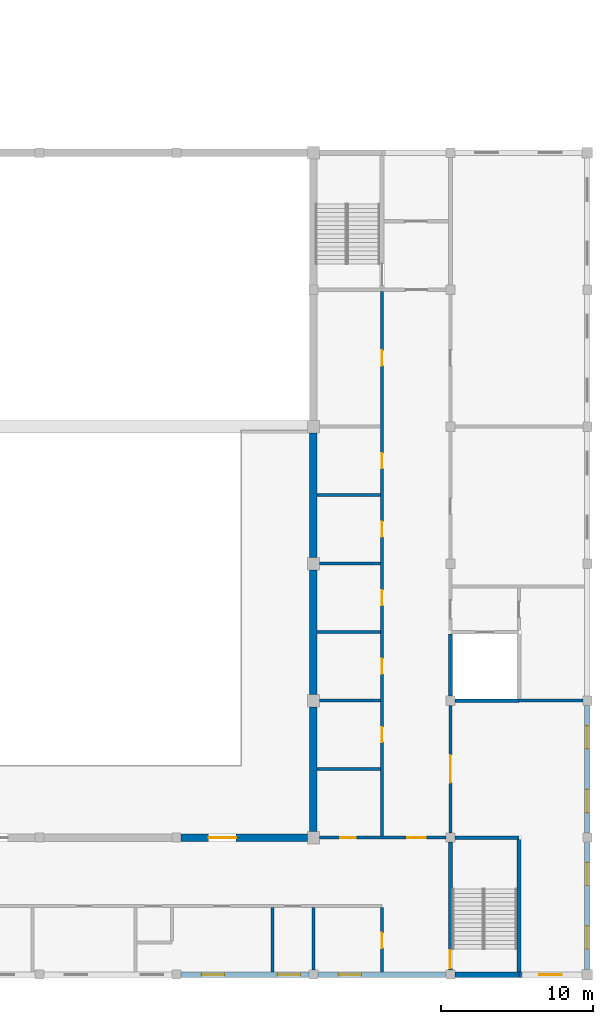
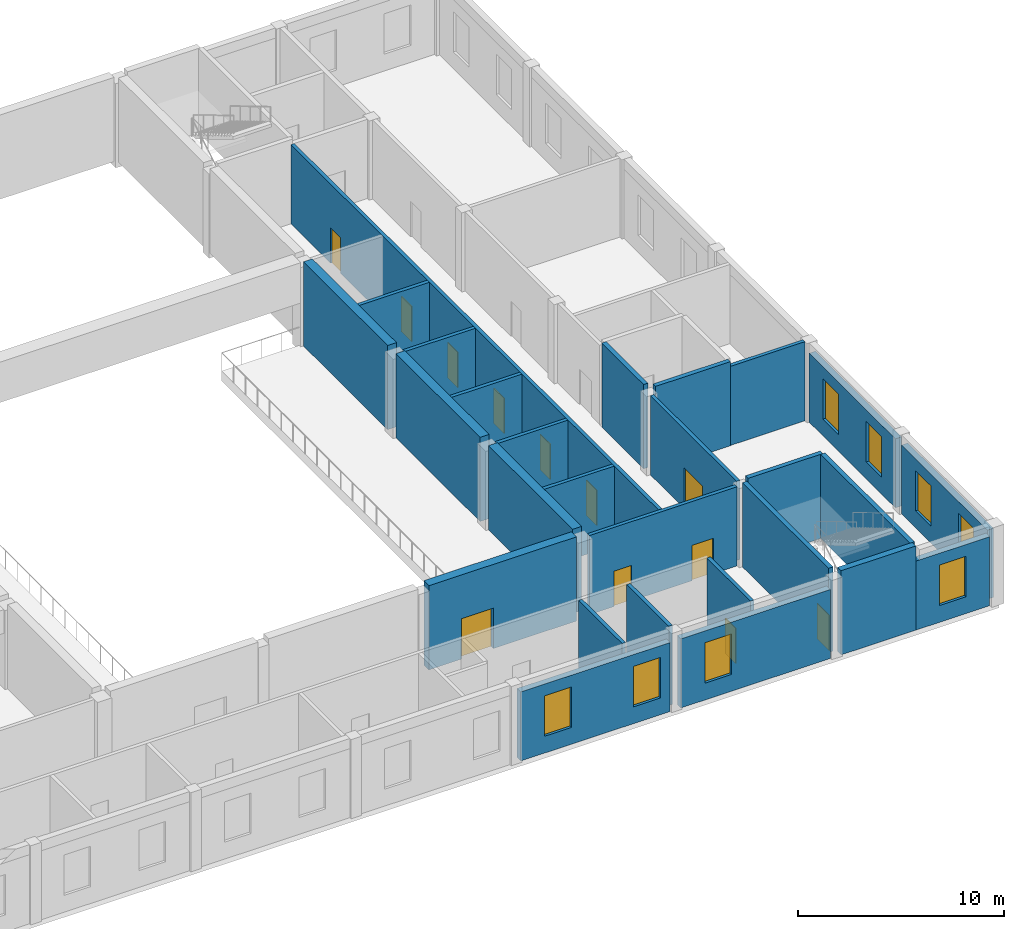
# One storey, part 25 of 34: 27 walls, 12 doors, 8 windows, 20 openings.
"""IFC4 building model written with IfcOpenShell, lengths in metres."""

from ifc_helpers import new_model, si_unit, direction, frame, frame_2d, origin, place, context, subcontext, project, spatial, rectangle, extrude, material, layer, layer_set, type_object, element, fill, save


model = new_model("IFC4")

# Units and contexts
model_context = context("Model", 3, precision=1e-05, world=origin(), true_north=direction((0.0, 1.0)))
body_context = subcontext(model_context, "Body", "Model", "MODEL_VIEW")
ifc_project = project(units=[si_unit("LENGTHUNIT", "METRE"), si_unit("AREAUNIT", "SQUARE_METRE"), si_unit("VOLUMEUNIT", "CUBIC_METRE"), si_unit("PLANEANGLEUNIT", "RADIAN"), si_unit("MASSUNIT", "GRAM", prefix="KILO")], contexts=[model_context])

# Site, building, storey
site_placement = place(None, origin())
site = spatial("IfcSite", under=ifc_project, at=site_placement, CompositionType="ELEMENT")
building_placement = place(site_placement, origin())
building = spatial("IfcBuilding", under=site, at=building_placement, Name="Firuza Court", CompositionType="ELEMENT")
storey_placement = place(building_placement, frame((0.0, 0.0, 19.0)))
storey = spatial("IfcBuildingStorey", under=building, at=storey_placement, Name="L03", CompositionType="ELEMENT", Elevation=19.0)

# Wall, openings, doors
ifc_material_1 = material(Name="Blockwork", Category="masonry")
ifc_layer_1 = layer(ifc_material_1, 0.199951171875)
ifc_layer_set_1 = layer_set([ifc_layer_1], Name="Blockwork")
wall_type_1 = type_object("IfcWallType", Name="HALL PARTITION 200", PredefinedType="STANDARD", material=ifc_layer_set_1)
wall_1_placement = place(storey_placement, frame((135.39990234375, 0.0, 0.0), z_axis=(0.0, 0.0, 1.0), x_axis=(1.0, 0.0, 0.0)))
wall_1 = element("IfcWall", 1, at=wall_1_placement, inside=storey, type_object=wall_type_1, Name="Wall L03.18", PredefinedType="STANDARD", context=body_context, shape_type="SweptSolid", body=[
    extrude(rectangle(XDim=8.300048828125, YDim=0.199951171875, at=frame_2d((4.14990234375, 0.0))), origin(), (0.0, 0.0, 1.0), 4.699951171875),
])
opening_1_placement = place(wall_1_placement, frame((5.77001953125, 0.0, 0.0)))
opening_1 = element("IfcOpeningElement", 2, at=opening_1_placement, cuts=wall_1, Name="Opening H118", PredefinedType="OPENING", context=body_context, shape_type="SweptSolid", body=[
    extrude(rectangle(XDim=1.199951171875, YDim=2.10009765625, at=frame_2d((0.60009765625, 1.050048828125))), frame((0.0, 0.11181640625, 0.0), z_axis=(0.0, -1.0, 0.0), x_axis=(1.0, 0.0, 0.0)), (0.0, 0.0, 1.0), 0.223876953125),
])
opening_2_placement = place(wall_1_placement, frame((1.3701171875, 0.0, 0.0)))
opening_2 = element("IfcOpeningElement", 3, at=opening_2_placement, cuts=wall_1, Name="Opening H139", PredefinedType="OPENING", context=body_context, shape_type="SweptSolid", body=[
    extrude(rectangle(XDim=1.0, YDim=2.10009765625, at=frame_2d((0.5, 1.050048828125))), frame((0.0, 0.11181640625, 0.0), z_axis=(0.0, -1.0, 0.0), x_axis=(1.0, 0.0, 0.0)), (0.0, 0.0, 1.0), 0.223876953125),
])
ifc_material_2 = material(Name="Timber", Category="wood")
door_type_1 = type_object("IfcDoorType", Name="HALL DOOR 1000X2100", OperationType="SINGLE_SWING_LEFT", PredefinedType="DOOR", material=ifc_material_2)
door_1_placement = place(opening_2_placement, origin())
door_1 = element("IfcDoor", 4, at=door_1_placement, inside=storey, type_object=door_type_1, Name="Door Practice room 1", OperationType="SINGLE_SWING_LEFT", OverallHeight=2.10009765625, OverallWidth=1.0, PredefinedType="DOOR", context=body_context, shape_type="SweptSolid", body=[
    extrude(rectangle(XDim=1.0, YDim=2.10009765625, at=frame_2d((0.5, 1.050048828125))), frame((0.0, 0.02490234375, 0.0), z_axis=(0.0, -1.0, 0.0), x_axis=(1.0, 0.0, 0.0)), (0.0, 0.0, 1.0), 0.050048828125),
])
fill(opening_2, door_1)
ifc_material_3 = material(Name="Timber", Category="wood")
door_type_2 = type_object("IfcDoorType", Name="HALL DOOR 1200X2100", OperationType="SINGLE_SWING_LEFT", PredefinedType="DOOR", material=ifc_material_3)
door_2_placement = place(opening_1_placement, origin())
door_2 = element("IfcDoor", 5, at=door_2_placement, inside=storey, type_object=door_type_2, Name="Door Gallery to Backstage corridor", OperationType="SINGLE_SWING_RIGHT", OverallHeight=2.10009765625, OverallWidth=1.199951171875, PredefinedType="DOOR", context=body_context, shape_type="SweptSolid", body=[
    extrude(rectangle(XDim=1.199951171875, YDim=2.10009765625, at=frame_2d((0.60009765625, 1.050048828125))), frame((0.0, 0.02490234375, 0.0), z_axis=(0.0, -1.0, 0.0), x_axis=(1.0, 0.0, 0.0)), (0.0, 0.0, 1.0), 0.050048828125),
])
fill(opening_1, door_2)

# Walls
wall_2_placement = place(storey_placement, frame((135.25, 4.5, 0.0), z_axis=(0.0, 0.0, 1.0), x_axis=(1.0, 0.0, 0.0)))
element("IfcWall", 6, at=wall_2_placement, inside=storey, type_object=wall_type_1, Name="Wall L03.20", PredefinedType="STANDARD", context=body_context, shape_type="SweptSolid", body=[
    extrude(rectangle(XDim=4.14990234375, YDim=0.199951171875, at=frame_2d((2.074951171875, 0.0))), origin(), (0.0, 0.0, 1.0), 4.699951171875),
])
wall_3_placement = place(storey_placement, frame((135.39990234375, 9.0, 0.0), z_axis=(0.0, 0.0, 1.0), x_axis=(1.0, 0.0, 0.0)))
element("IfcWall", 7, at=wall_3_placement, inside=storey, type_object=wall_type_1, Name="Wall L03.21", PredefinedType="STANDARD", context=body_context, shape_type="SweptSolid", body=[
    extrude(rectangle(XDim=4.0, YDim=0.199951171875, at=frame_2d((2.0, 0.0))), origin(), (0.0, 0.0, 1.0), 4.699951171875),
])
wall_4_placement = place(storey_placement, frame((148.5, 9.0, 0.0), z_axis=(0.0, 0.0, 1.0), x_axis=(1.0, 0.0, 0.0)))
element("IfcWall", 8, at=wall_4_placement, inside=storey, type_object=wall_type_1, Name="Wall L03.23", PredefinedType="STANDARD", context=body_context, shape_type="SweptSolid", body=[
    extrude(rectangle(XDim=4.199951171875, YDim=0.199951171875, at=frame_2d((2.10009765625, 0.0))), origin(), (0.0, 0.0, 1.0), 4.699951171875),
])
wall_5_placement = place(storey_placement, frame((135.25, 13.5, 0.0), z_axis=(0.0, 0.0, 1.0), x_axis=(1.0, 0.0, 0.0)))
element("IfcWall", 9, at=wall_5_placement, inside=storey, type_object=wall_type_1, Name="Wall L03.24", PredefinedType="STANDARD", context=body_context, shape_type="SweptSolid", body=[
    extrude(rectangle(XDim=4.14990234375, YDim=0.199951171875, at=frame_2d((2.074951171875, 0.0))), origin(), (0.0, 0.0, 1.0), 4.699951171875),
])
wall_6_placement = place(storey_placement, frame((135.39990234375, 18.0, 0.0), z_axis=(0.0, 0.0, 1.0), x_axis=(1.0, 0.0, 0.0)))
element("IfcWall", 10, at=wall_6_placement, inside=storey, type_object=wall_type_1, Name="Wall L03.29", PredefinedType="STANDARD", context=body_context, shape_type="SweptSolid", body=[
    extrude(rectangle(XDim=4.0, YDim=0.199951171875, at=frame_2d((2.0, 0.0))), origin(), (0.0, 0.0, 1.0), 4.699951171875),
])
wall_7_placement = place(storey_placement, frame((135.25, 22.5, 0.0), z_axis=(0.0, 0.0, 1.0), x_axis=(1.0, 0.0, 0.0)))
element("IfcWall", 11, at=wall_7_placement, inside=storey, type_object=wall_type_1, Name="Wall L03.30", PredefinedType="STANDARD", context=body_context, shape_type="SweptSolid", body=[
    extrude(rectangle(XDim=4.14990234375, YDim=0.199951171875, at=frame_2d((2.074951171875, 0.0))), origin(), (0.0, 0.0, 1.0), 4.699951171875),
])
wall_8_placement = place(storey_placement, frame((132.300048828125, -8.824951171875, 0.0), z_axis=(0.0, 0.0, 1.0), x_axis=(0.0, 1.0, 0.0)))
element("IfcWall", 12, at=wall_8_placement, inside=storey, type_object=wall_type_1, Name="Wall L03.71", PredefinedType="STANDARD", context=body_context, shape_type="SweptSolid", body=[
    extrude(rectangle(XDim=4.224853515625, YDim=0.199951171875, at=frame_2d((2.1123046875, 0.0))), origin(), (0.0, 0.0, 1.0), 4.699951171875),
])
wall_9_placement = place(storey_placement, frame((135.0, -8.699951171875, 0.0), z_axis=(0.0, 0.0, 1.0), x_axis=(0.0, 1.0, 0.0)))
element("IfcWall", 13, at=wall_9_placement, inside=storey, type_object=wall_type_1, Name="Wall L03.72", PredefinedType="STANDARD", context=body_context, shape_type="SweptSolid", body=[
    extrude(rectangle(XDim=4.099853515625, YDim=0.199951171875, at=frame_2d((2.0498046875, 0.0))), origin(), (0.0, 0.0, 1.0), 4.699951171875),
])

# Wall, opening, door
wall_10_placement = place(storey_placement, frame((139.5, -8.824951171875, 0.0), z_axis=(0.0, 0.0, 1.0), x_axis=(0.0, 1.0, 0.0)))
wall_10 = element("IfcWall", 14, at=wall_10_placement, inside=storey, type_object=wall_type_1, Name="Wall L03.78", PredefinedType="STANDARD", context=body_context, shape_type="SweptSolid", body=[
    extrude(rectangle(XDim=4.224853515625, YDim=0.199951171875, at=frame_2d((2.1123046875, 0.0))), origin(), (0.0, 0.0, 1.0), 4.699951171875),
])
opening_3_placement = place(wall_10_placement, frame((1.570068359375, 0.0, 0.0)))
opening_3 = element("IfcOpeningElement", 15, at=opening_3_placement, cuts=wall_10, Name="Opening H132", PredefinedType="OPENING", context=body_context, shape_type="SweptSolid", body=[
    extrude(rectangle(XDim=1.0, YDim=2.10009765625, at=frame_2d((0.5, 1.050048828125))), frame((0.0, 0.11181640625, 0.0), z_axis=(0.0, -1.0, 0.0), x_axis=(1.0, 0.0, 0.0)), (0.0, 0.0, 1.0), 0.223876953125),
])
door_3_placement = place(opening_3_placement, origin())
door_3 = element("IfcDoor", 16, at=door_3_placement, inside=storey, type_object=door_type_1, Name="Door Practice room", OperationType="SINGLE_SWING_LEFT", OverallHeight=2.10009765625, OverallWidth=1.0, PredefinedType="DOOR", context=body_context, shape_type="SweptSolid", body=[
    extrude(rectangle(XDim=1.0, YDim=2.10009765625, at=frame_2d((0.5, 1.050048828125))), frame((0.0, 0.02490234375, 0.0), z_axis=(0.0, -1.0, 0.0), x_axis=(1.0, 0.0, 0.0)), (0.0, 0.0, 1.0), 0.050048828125),
])
fill(opening_3, door_3)

# Wall, openings, doors
wall_11_placement = place(storey_placement, frame((139.5, 0.10009765625, 0.0), z_axis=(0.0, 0.0, 1.0), x_axis=(0.0, 1.0, 0.0)))
wall_11 = element("IfcWall", 17, at=wall_11_placement, inside=storey, type_object=wall_type_1, Name="Wall L03.79", PredefinedType="STANDARD", context=body_context, shape_type="SweptSolid", body=[
    extrude(rectangle(XDim=35.77490234375, YDim=0.199951171875, at=frame_2d((17.887451171875, 0.0))), origin(), (0.0, 0.0, 1.0), 4.699951171875),
])
opening_4_placement = place(wall_11_placement, frame((6.169921875, 0.0, 0.0)))
opening_4 = element("IfcOpeningElement", 18, at=opening_4_placement, cuts=wall_11, Name="Opening H140", PredefinedType="OPENING", context=body_context, shape_type="SweptSolid", body=[
    extrude(rectangle(XDim=1.0, YDim=2.10009765625, at=frame_2d((0.5, 1.050048828125))), frame((0.0, 0.11181640625, 0.0), z_axis=(0.0, -1.0, 0.0), x_axis=(1.0, 0.0, 0.0)), (0.0, 0.0, 1.0), 0.223876953125),
])
opening_5_placement = place(wall_11_placement, frame((10.669921875, 0.0, 0.0)))
opening_5 = element("IfcOpeningElement", 19, at=opening_5_placement, cuts=wall_11, Name="Opening H141", PredefinedType="OPENING", context=body_context, shape_type="SweptSolid", body=[
    extrude(rectangle(XDim=1.0, YDim=2.10009765625, at=frame_2d((0.5, 1.050048828125))), frame((0.0, 0.11181640625, 0.0), z_axis=(0.0, -1.0, 0.0), x_axis=(1.0, 0.0, 0.0)), (0.0, 0.0, 1.0), 0.223876953125),
])
opening_6_placement = place(wall_11_placement, frame((15.169921875, 0.0, 0.0)))
opening_6 = element("IfcOpeningElement", 20, at=opening_6_placement, cuts=wall_11, Name="Opening H142", PredefinedType="OPENING", context=body_context, shape_type="SweptSolid", body=[
    extrude(rectangle(XDim=1.0, YDim=2.10009765625, at=frame_2d((0.5, 1.050048828125))), frame((0.0, 0.11181640625, 0.0), z_axis=(0.0, -1.0, 0.0), x_axis=(1.0, 0.0, 0.0)), (0.0, 0.0, 1.0), 0.223876953125),
])
opening_7_placement = place(wall_11_placement, frame((19.669921875, 0.0, 0.0)))
opening_7 = element("IfcOpeningElement", 21, at=opening_7_placement, cuts=wall_11, Name="Opening H143", PredefinedType="OPENING", context=body_context, shape_type="SweptSolid", body=[
    extrude(rectangle(XDim=1.0, YDim=2.10009765625, at=frame_2d((0.5, 1.050048828125))), frame((0.0, 0.11181640625, 0.0), z_axis=(0.0, -1.0, 0.0), x_axis=(1.0, 0.0, 0.0)), (0.0, 0.0, 1.0), 0.223876953125),
])
opening_8_placement = place(wall_11_placement, frame((24.169921875, 0.0, 0.0)))
opening_8 = element("IfcOpeningElement", 22, at=opening_8_placement, cuts=wall_11, Name="Opening H144", PredefinedType="OPENING", context=body_context, shape_type="SweptSolid", body=[
    extrude(rectangle(XDim=1.0, YDim=2.10009765625, at=frame_2d((0.5, 1.050048828125))), frame((0.0, 0.11181640625, 0.0), z_axis=(0.0, -1.0, 0.0), x_axis=(1.0, 0.0, 0.0)), (0.0, 0.0, 1.0), 0.223876953125),
])
opening_9_placement = place(wall_11_placement, frame((30.919921875, 0.0, 0.0)))
opening_9 = element("IfcOpeningElement", 23, at=opening_9_placement, cuts=wall_11, Name="Opening H145", PredefinedType="OPENING", context=body_context, shape_type="SweptSolid", body=[
    extrude(rectangle(XDim=1.0, YDim=2.10009765625, at=frame_2d((0.5, 1.050048828125))), frame((0.0, 0.11181640625, 0.0), z_axis=(0.0, -1.0, 0.0), x_axis=(1.0, 0.0, 0.0)), (0.0, 0.0, 1.0), 0.223876953125),
])
door_4_placement = place(opening_4_placement, origin())
door_4 = element("IfcDoor", 24, at=door_4_placement, inside=storey, type_object=door_type_1, Name="Door Practice room 2", OperationType="SINGLE_SWING_RIGHT", OverallHeight=2.10009765625, OverallWidth=1.0, PredefinedType="DOOR", context=body_context, shape_type="SweptSolid", body=[
    extrude(rectangle(XDim=1.0, YDim=2.10009765625, at=frame_2d((0.5, 1.050048828125))), frame((0.0, 0.02490234375, 0.0), z_axis=(0.0, -1.0, 0.0), x_axis=(1.0, 0.0, 0.0)), (0.0, 0.0, 1.0), 0.050048828125),
])
fill(opening_4, door_4)
door_5_placement = place(opening_5_placement, origin())
door_5 = element("IfcDoor", 25, at=door_5_placement, inside=storey, type_object=door_type_1, Name="Door Practice room 3", OperationType="SINGLE_SWING_RIGHT", OverallHeight=2.10009765625, OverallWidth=1.0, PredefinedType="DOOR", context=body_context, shape_type="SweptSolid", body=[
    extrude(rectangle(XDim=1.0, YDim=2.10009765625, at=frame_2d((0.5, 1.050048828125))), frame((0.0, 0.02490234375, 0.0), z_axis=(0.0, -1.0, 0.0), x_axis=(1.0, 0.0, 0.0)), (0.0, 0.0, 1.0), 0.050048828125),
])
fill(opening_5, door_5)
door_6_placement = place(opening_6_placement, origin())
door_6 = element("IfcDoor", 26, at=door_6_placement, inside=storey, type_object=door_type_1, Name="Door Practice room 4", OperationType="SINGLE_SWING_RIGHT", OverallHeight=2.10009765625, OverallWidth=1.0, PredefinedType="DOOR", context=body_context, shape_type="SweptSolid", body=[
    extrude(rectangle(XDim=1.0, YDim=2.10009765625, at=frame_2d((0.5, 1.050048828125))), frame((0.0, 0.02490234375, 0.0), z_axis=(0.0, -1.0, 0.0), x_axis=(1.0, 0.0, 0.0)), (0.0, 0.0, 1.0), 0.050048828125),
])
fill(opening_6, door_6)
door_7_placement = place(opening_7_placement, origin())
door_7 = element("IfcDoor", 27, at=door_7_placement, inside=storey, type_object=door_type_1, Name="Door Practice room 5", OperationType="SINGLE_SWING_RIGHT", OverallHeight=2.10009765625, OverallWidth=1.0, PredefinedType="DOOR", context=body_context, shape_type="SweptSolid", body=[
    extrude(rectangle(XDim=1.0, YDim=2.10009765625, at=frame_2d((0.5, 1.050048828125))), frame((0.0, 0.02490234375, 0.0), z_axis=(0.0, -1.0, 0.0), x_axis=(1.0, 0.0, 0.0)), (0.0, 0.0, 1.0), 0.050048828125),
])
fill(opening_7, door_7)
door_8_placement = place(opening_8_placement, origin())
door_8 = element("IfcDoor", 28, at=door_8_placement, inside=storey, type_object=door_type_1, Name="Door Practice room 6", OperationType="SINGLE_SWING_RIGHT", OverallHeight=2.10009765625, OverallWidth=1.0, PredefinedType="DOOR", context=body_context, shape_type="SweptSolid", body=[
    extrude(rectangle(XDim=1.0, YDim=2.10009765625, at=frame_2d((0.5, 1.050048828125))), frame((0.0, 0.02490234375, 0.0), z_axis=(0.0, -1.0, 0.0), x_axis=(1.0, 0.0, 0.0)), (0.0, 0.0, 1.0), 0.050048828125),
])
fill(opening_8, door_8)
door_9_placement = place(opening_9_placement, origin())
door_9 = element("IfcDoor", 29, at=door_9_placement, inside=storey, type_object=door_type_1, Name="Door Music library store", OperationType="SINGLE_SWING_LEFT", OverallHeight=2.10009765625, OverallWidth=1.0, PredefinedType="DOOR", context=body_context, shape_type="SweptSolid", body=[
    extrude(rectangle(XDim=1.0, YDim=2.10009765625, at=frame_2d((0.5, 1.050048828125))), frame((0.0, 0.02490234375, 0.0), z_axis=(0.0, -1.0, 0.0), x_axis=(1.0, 0.0, 0.0)), (0.0, 0.0, 1.0), 0.050048828125),
])
fill(opening_9, door_9)

# Wall, opening, door
wall_12_placement = place(storey_placement, frame((144.0, 0.300048828125, 0.0), z_axis=(0.0, 0.0, 1.0), x_axis=(0.0, 1.0, 0.0)))
wall_12 = element("IfcWall", 30, at=wall_12_placement, inside=storey, type_object=wall_type_1, Name="Wall L03.82", PredefinedType="STANDARD", context=body_context, shape_type="SweptSolid", body=[
    extrude(rectangle(XDim=8.39990234375, YDim=0.199951171875, at=frame_2d((4.199951171875, 0.0))), origin(), (0.0, 0.0, 1.0), 4.699951171875),
])
opening_10_placement = place(wall_12_placement, frame((3.320068359375, 0.0, 0.0)))
opening_10 = element("IfcOpeningElement", 31, at=opening_10_placement, cuts=wall_12, Name="Opening H146", PredefinedType="OPENING", context=body_context, shape_type="SweptSolid", body=[
    extrude(rectangle(XDim=1.800048828125, YDim=2.39990234375, at=frame_2d((0.89990234375, 1.199951171875))), frame((0.0, 0.11181640625, 0.0), z_axis=(0.0, -1.0, 0.0), x_axis=(1.0, 0.0, 0.0)), (0.0, 0.0, 1.0), 0.223876953125),
])
ifc_material_4 = material(Name="Timber", Category="wood")
door_type_3 = type_object("IfcDoorType", Name="HALL DOOR 1800X2400", OperationType="DOUBLE_DOOR_SINGLE_SWING", PredefinedType="DOOR", material=ifc_material_4)
door_10_placement = place(opening_10_placement, origin())
door_10 = element("IfcDoor", 32, at=door_10_placement, inside=storey, type_object=door_type_3, Name="Door Rehearsal room 3", OperationType="DOUBLE_DOOR_SINGLE_SWING", OverallHeight=2.39990234375, OverallWidth=1.800048828125, PredefinedType="DOOR", context=body_context, shape_type="SweptSolid", body=[
    extrude(rectangle(XDim=1.800048828125, YDim=2.39990234375, at=frame_2d((0.89990234375, 1.199951171875))), frame((0.0, 0.02490234375, 0.0), z_axis=(0.0, -1.0, 0.0), x_axis=(1.0, 0.0, 0.0)), (0.0, 0.0, 1.0), 0.050048828125),
])
fill(opening_10, door_10)

# Walls
ifc_material_5 = material(Name="Concrete C40/50", Category="concrete")
ifc_layer_2 = layer(ifc_material_5, 0.25)
ifc_layer_set_2 = layer_set([ifc_layer_2], Name="Concrete C40/50")
wall_type_2 = type_object("IfcWallType", Name="HALL RC WALL 250", PredefinedType="STANDARD", material=ifc_layer_set_2)
for number, where, z_axis, x_axis, name in (
    (33, (144.300048828125, 0.0, 0.0), (0.0, 0.0, 1.0), (1.0, 0.0, 0.0), "Wall L03.19"),
    (34, (144.300048828125, 9.0, 0.0), (0.0, 0.0, 1.0), (1.0, 0.0, 0.0), "Wall L03.22"),
):
    element("IfcWall", number, at=place(storey_placement, frame(where, z_axis=z_axis, x_axis=x_axis)), inside=storey, type_object=wall_type_2, Name=name, PredefinedType="STANDARD", context=body_context, shape_type="SweptSolid", body=[
        extrude(rectangle(XDim=4.199951171875, YDim=0.25, at=frame_2d((2.10009765625, 0.0))), origin(), (0.0, 0.0, 1.0), 5.0),
    ])

# Wall, opening, door
wall_13_placement = place(storey_placement, frame((144.0, -8.699951171875, 0.0), z_axis=(0.0, 0.0, 1.0), x_axis=(0.0, 1.0, 0.0)))
wall_13 = element("IfcWall", 35, at=wall_13_placement, inside=storey, type_object=wall_type_2, Name="Wall L03.81", PredefinedType="STANDARD", context=body_context, shape_type="SweptSolid", body=[
    extrude(rectangle(XDim=8.39990234375, YDim=0.25, at=frame_2d((4.199951171875, 0.0))), origin(), (0.0, 0.0, 1.0), 5.0),
])
opening_11_placement = place(wall_13_placement, frame((0.1201171875, 0.0, 0.0)))
opening_11 = element("IfcOpeningElement", 36, at=opening_11_placement, cuts=wall_13, Name="Opening H128", PredefinedType="OPENING", context=body_context, shape_type="SweptSolid", body=[
    extrude(rectangle(XDim=1.199951171875, YDim=2.10009765625, at=frame_2d((0.60009765625, 1.050048828125))), frame((0.0, 0.136962890625, 0.0), z_axis=(0.0, -1.0, 0.0), x_axis=(1.0, 0.0, 0.0)), (0.0, 0.0, 1.0), 0.27392578125),
])
door_11_placement = place(opening_11_placement, frame((1.199951171875, 0.0, 0.0), z_axis=(0.0, 0.0, 1.0), x_axis=(-1.0, 0.0, 0.0)))
door_11 = element("IfcDoor", 37, at=door_11_placement, inside=storey, type_object=door_type_2, Name="Stair H2 door", OperationType="SINGLE_SWING_RIGHT", OverallHeight=2.10009765625, OverallWidth=1.199951171875, PredefinedType="DOOR", context=body_context, shape_type="SweptSolid", body=[
    extrude(rectangle(XDim=1.199951171875, YDim=2.10009765625, at=frame_2d((0.60009765625, 1.050048828125))), frame((0.0, 0.02490234375, 0.0), z_axis=(0.0, -1.0, 0.0), x_axis=(1.0, 0.0, 0.0)), (0.0, 0.0, 1.0), 0.050048828125),
])
fill(opening_11, door_11)

# Walls
wall_14_placement = place(storey_placement, frame((144.0, 9.300048828125, 0.0), z_axis=(0.0, 0.0, 1.0), x_axis=(0.0, 1.0, 0.0)))
element("IfcWall", 38, at=wall_14_placement, inside=storey, type_object=wall_type_2, Name="Wall L03.83", PredefinedType="STANDARD", context=body_context, shape_type="SweptSolid", body=[
    extrude(rectangle(XDim=4.074951171875, YDim=0.25, at=frame_2d((2.03759765625, 0.0))), origin(), (0.0, 0.0, 1.0), 5.0),
])
wall_15_placement = place(storey_placement, frame((148.5, -8.824951171875, 0.0), z_axis=(0.0, 0.0, 1.0), x_axis=(0.0, 1.0, 0.0)))
element("IfcWall", 39, at=wall_15_placement, inside=storey, type_object=wall_type_2, Name="Wall L03.88", PredefinedType="STANDARD", context=body_context, shape_type="SweptSolid", body=[
    extrude(rectangle(XDim=8.699951171875, YDim=0.25, at=frame_2d((4.35009765625, 0.0))), origin(), (0.0, 0.0, 1.0), 5.0),
])

# Wall, opening, door
ifc_layer_3 = layer(ifc_material_5, 0.5)
ifc_layer_set_3 = layer_set([ifc_layer_3], Name="Concrete C40/50")
wall_type_3 = type_object("IfcWallType", Name="HALL RC WALL 500", PredefinedType="STANDARD", material=ifc_layer_set_3)
wall_16_placement = place(storey_placement, frame((126.300048828125, 0.0, 0.0), z_axis=(0.0, 0.0, 1.0), x_axis=(1.0, 0.0, 0.0)))
wall_16 = element("IfcWall", 40, at=wall_16_placement, inside=storey, type_object=wall_type_3, Name="Wall L03.17", PredefinedType="STANDARD", context=body_context, shape_type="SweptSolid", body=[
    extrude(rectangle(XDim=8.300048828125, YDim=0.5, at=frame_2d((4.14990234375, 0.0))), origin(), (0.0, 0.0, 1.0), 5.0),
])
opening_12_placement = place(wall_16_placement, frame((1.820068359375, 0.0, 0.0)))
opening_12 = element("IfcOpeningElement", 41, at=opening_12_placement, cuts=wall_16, Name="Opening H125", PredefinedType="OPENING", context=body_context, shape_type="SweptSolid", body=[
    extrude(rectangle(XDim=1.800048828125, YDim=2.39990234375, at=frame_2d((0.89990234375, 1.199951171875))), frame((0.0, 0.261962890625, 0.0), z_axis=(0.0, -1.0, 0.0), x_axis=(1.0, 0.0, 0.0)), (0.0, 0.0, 1.0), 0.52392578125),
])
door_12_placement = place(opening_12_placement, origin())
door_12 = element("IfcDoor", 42, at=door_12_placement, inside=storey, type_object=door_type_3, Name="Exit door balcony south 2 L03", OperationType="DOUBLE_DOOR_SINGLE_SWING", OverallHeight=2.39990234375, OverallWidth=1.800048828125, PredefinedType="DOOR", context=body_context, shape_type="SweptSolid", body=[
    extrude(rectangle(XDim=1.800048828125, YDim=2.39990234375, at=frame_2d((0.89990234375, 1.199951171875))), frame((0.0, 0.02490234375, 0.0), z_axis=(0.0, -1.0, 0.0), x_axis=(1.0, 0.0, 0.0)), (0.0, 0.0, 1.0), 0.050048828125),
])
fill(opening_12, door_12)

# Walls
for number, where, z_axis, x_axis, name in (
    (43, (135.0, 0.39990234375, 0.0), (0.0, 0.0, 1.0), (0.0, 1.0, 0.0), "Wall L03.73"),
    (44, (135.0, 9.39990234375, 0.0), (0.0, 0.0, 1.0), (0.0, 1.0, 0.0), "Wall L03.74"),
    (45, (135.0, 18.39990234375, 0.0), (0.0, 0.0, 1.0), (0.0, 1.0, 0.0), "Wall L03.75"),
):
    element("IfcWall", number, at=place(storey_placement, frame(where, z_axis=z_axis, x_axis=x_axis)), inside=storey, type_object=wall_type_3, Name=name, PredefinedType="STANDARD", context=body_context, shape_type="SweptSolid", body=[
        extrude(rectangle(XDim=8.2001953125, YDim=0.5, at=frame_2d((4.10009765625, 0.0))), origin(), (0.0, 0.0, 1.0), 5.0),
    ])

# Wall, openings, windows
ifc_material_6 = material(Name="Concrete C30/37", Category="concrete")
ifc_layer_4 = layer(ifc_material_6, 0.300048828125)
ifc_material_7 = material(Name="Ceramic tile", Category="ceramic")
ifc_layer_5 = layer(ifc_material_7, 0.050048828125)
ifc_layer_set_4 = layer_set([ifc_layer_4, ifc_layer_5], Name="Concrete C30/37")
wall_type_4 = type_object("IfcWallType", Name="HALL TILE CLAD WALL 350", PredefinedType="STANDARD", material=ifc_layer_set_4)
wall_17_placement = place(storey_placement, frame((126.300048828125, -9.0, 0.0), z_axis=(0.0, 0.0, 1.0), x_axis=(1.0, 0.0, 0.0)))
wall_17 = element("IfcWall", 46, at=wall_17_placement, inside=storey, type_object=wall_type_4, Name="Wall L03.6", PredefinedType="STANDARD", context=body_context, shape_type="SweptSolid", body=[
    extrude(rectangle(XDim=8.39990234375, YDim=0.35009765625, at=frame_2d((4.199951171875, 0.0))), origin(), (0.0, 0.0, 1.0), 4.10009765625),
])
opening_13_placement = place(wall_17_placement, frame((1.35009765625, 0.0, 1.0)))
opening_13 = element("IfcOpeningElement", 47, at=opening_13_placement, cuts=wall_17, Name="Opening HW-1", PredefinedType="OPENING", context=body_context, shape_type="SweptSolid", body=[
    extrude(rectangle(XDim=1.5, YDim=2.39990234375, at=frame_2d((0.75, 1.199951171875))), frame((0.0, 0.18701171875, 0.0), z_axis=(0.0, -1.0, 0.0), x_axis=(1.0, 0.0, 0.0)), (0.0, 0.0, 1.0), 0.3740234375),
])
opening_14_placement = place(wall_17_placement, frame((6.35009765625, 0.0, 1.0)))
opening_14 = element("IfcOpeningElement", 48, at=opening_14_placement, cuts=wall_17, Name="Opening HW-1", PredefinedType="OPENING", context=body_context, shape_type="SweptSolid", body=[
    extrude(rectangle(XDim=1.5, YDim=2.39990234375, at=frame_2d((0.75, 1.199951171875))), frame((0.0, 0.18701171875, 0.0), z_axis=(0.0, -1.0, 0.0), x_axis=(1.0, 0.0, 0.0)), (0.0, 0.0, 1.0), 0.3740234375),
])
ifc_material_8 = material(Name="Aluminium", Category="aluminium")
window_type = type_object("IfcWindowType", Name="HALL WINDOW 1500X2400", PartitioningType="SINGLE_PANEL", PredefinedType="WINDOW", material=ifc_material_8)
window_1_placement = place(opening_13_placement, origin())
window_1 = element("IfcWindow", 49, at=window_1_placement, inside=storey, type_object=window_type, Name="Window L03.83", OverallHeight=2.39990234375, OverallWidth=1.5, PartitioningType="SINGLE_PANEL", PredefinedType="WINDOW", context=body_context, shape_type="SweptSolid", body=[
    extrude(rectangle(XDim=1.5, YDim=2.39990234375, at=frame_2d((0.75, 1.199951171875))), frame((0.0, 0.030029296875, 0.0), z_axis=(0.0, -1.0, 0.0), x_axis=(1.0, 0.0, 0.0)), (0.0, 0.0, 1.0), 0.06005859375),
])
fill(opening_13, window_1)
window_2_placement = place(opening_14_placement, origin())
window_2 = element("IfcWindow", 50, at=window_2_placement, inside=storey, type_object=window_type, Name="Window L03.84", OverallHeight=2.39990234375, OverallWidth=1.5, PartitioningType="SINGLE_PANEL", PredefinedType="WINDOW", context=body_context, shape_type="SweptSolid", body=[
    extrude(rectangle(XDim=1.5, YDim=2.39990234375, at=frame_2d((0.75, 1.199951171875))), frame((0.0, 0.030029296875, 0.0), z_axis=(0.0, -1.0, 0.0), x_axis=(1.0, 0.0, 0.0)), (0.0, 0.0, 1.0), 0.06005859375),
])
fill(opening_14, window_2)

# Wall, opening, window
wall_18_placement = place(storey_placement, frame((135.300048828125, -9.0, 0.0), z_axis=(0.0, 0.0, 1.0), x_axis=(1.0, 0.0, 0.0)))
wall_18 = element("IfcWall", 51, at=wall_18_placement, inside=storey, type_object=wall_type_4, Name="Wall L03.7", PredefinedType="STANDARD", context=body_context, shape_type="SweptSolid", body=[
    extrude(rectangle(XDim=8.39990234375, YDim=0.35009765625, at=frame_2d((4.199951171875, 0.0))), origin(), (0.0, 0.0, 1.0), 4.10009765625),
])
opening_15_placement = place(wall_18_placement, frame((1.35009765625, 0.0, 1.0)))
opening_15 = element("IfcOpeningElement", 52, at=opening_15_placement, cuts=wall_18, Name="Opening HW-1", PredefinedType="OPENING", context=body_context, shape_type="SweptSolid", body=[
    extrude(rectangle(XDim=1.5, YDim=2.39990234375, at=frame_2d((0.75, 1.199951171875))), frame((0.0, 0.18701171875, 0.0), z_axis=(0.0, -1.0, 0.0), x_axis=(1.0, 0.0, 0.0)), (0.0, 0.0, 1.0), 0.3740234375),
])
window_3_placement = place(opening_15_placement, origin())
window_3 = element("IfcWindow", 53, at=window_3_placement, inside=storey, type_object=window_type, Name="Window L03.85", OverallHeight=2.39990234375, OverallWidth=1.5, PartitioningType="SINGLE_PANEL", PredefinedType="WINDOW", context=body_context, shape_type="SweptSolid", body=[
    extrude(rectangle(XDim=1.5, YDim=2.39990234375, at=frame_2d((0.75, 1.199951171875))), frame((0.0, 0.030029296875, 0.0), z_axis=(0.0, -1.0, 0.0), x_axis=(1.0, 0.0, 0.0)), (0.0, 0.0, 1.0), 0.06005859375),
])
fill(opening_15, window_3)

# Wall
wall_19_placement = place(storey_placement, frame((144.300048828125, -9.0, 0.0), z_axis=(0.0, 0.0, 1.0), x_axis=(1.0, 0.0, 0.0)))
element("IfcWall", 54, at=wall_19_placement, inside=storey, type_object=wall_type_4, Name="Wall L03.8", PredefinedType="STANDARD", context=body_context, shape_type="SweptSolid", body=[
    extrude(rectangle(XDim=4.199951171875, YDim=0.35009765625, at=frame_2d((2.10009765625, 0.0))), origin(), (0.0, 0.0, 1.0), 5.0),
])

# Wall, opening, window
wall_20_placement = place(storey_placement, frame((148.5, -9.0, 0.0), z_axis=(0.0, 0.0, 1.0), x_axis=(1.0, 0.0, 0.0)))
wall_20 = element("IfcWall", 55, at=wall_20_placement, inside=storey, type_object=wall_type_4, Name="Wall L03.9", PredefinedType="STANDARD", context=body_context, shape_type="SweptSolid", body=[
    extrude(rectangle(XDim=4.14990234375, YDim=0.35009765625, at=frame_2d((2.074951171875, 0.0))), origin(), (0.0, 0.0, 1.0), 4.10009765625),
])
opening_16_placement = place(wall_20_placement, frame((1.324951171875, 0.0, 1.0)))
opening_16 = element("IfcOpeningElement", 56, at=opening_16_placement, cuts=wall_20, Name="Opening HW-1", PredefinedType="OPENING", context=body_context, shape_type="SweptSolid", body=[
    extrude(rectangle(XDim=1.5, YDim=2.39990234375, at=frame_2d((0.75, 1.199951171875))), frame((0.0, 0.18701171875, 0.0), z_axis=(0.0, -1.0, 0.0), x_axis=(1.0, 0.0, 0.0)), (0.0, 0.0, 1.0), 0.3740234375),
])
window_4_placement = place(opening_16_placement, origin())
window_4 = element("IfcWindow", 57, at=window_4_placement, inside=storey, type_object=window_type, Name="Window L03.86", OverallHeight=2.39990234375, OverallWidth=1.5, PartitioningType="SINGLE_PANEL", PredefinedType="WINDOW", context=body_context, shape_type="SweptSolid", body=[
    extrude(rectangle(XDim=1.5, YDim=2.39990234375, at=frame_2d((0.75, 1.199951171875))), frame((0.0, 0.030029296875, 0.0), z_axis=(0.0, -1.0, 0.0), x_axis=(1.0, 0.0, 0.0)), (0.0, 0.0, 1.0), 0.06005859375),
])
fill(opening_16, window_4)

# Wall, openings, windows
wall_21_placement = place(storey_placement, frame((153.0, -8.64990234375, 0.0), z_axis=(0.0, 0.0, 1.0), x_axis=(0.0, 1.0, 0.0)))
wall_21 = element("IfcWall", 58, at=wall_21_placement, inside=storey, type_object=wall_type_4, Name="Wall L03.91", PredefinedType="STANDARD", context=body_context, shape_type="SweptSolid", body=[
    extrude(rectangle(XDim=8.349853515625, YDim=0.35009765625, at=frame_2d((4.1748046875, 0.0))), origin(), (0.0, 0.0, 1.0), 4.10009765625),
])
opening_17_placement = place(wall_21_placement, frame((1.33740234375, 0.0, 1.0)))
opening_17 = element("IfcOpeningElement", 59, at=opening_17_placement, cuts=wall_21, Name="Opening HW-1", PredefinedType="OPENING", context=body_context, shape_type="SweptSolid", body=[
    extrude(rectangle(XDim=1.5, YDim=2.39990234375, at=frame_2d((0.75, 1.199951171875))), frame((0.0, 0.18701171875, 0.0), z_axis=(0.0, -1.0, 0.0), x_axis=(1.0, 0.0, 0.0)), (0.0, 0.0, 1.0), 0.3740234375),
])
opening_18_placement = place(wall_21_placement, frame((5.512451171875, 0.0, 1.0)))
opening_18 = element("IfcOpeningElement", 60, at=opening_18_placement, cuts=wall_21, Name="Opening HW-1", PredefinedType="OPENING", context=body_context, shape_type="SweptSolid", body=[
    extrude(rectangle(XDim=1.5, YDim=2.39990234375, at=frame_2d((0.75, 1.199951171875))), frame((0.0, 0.18701171875, 0.0), z_axis=(0.0, -1.0, 0.0), x_axis=(1.0, 0.0, 0.0)), (0.0, 0.0, 1.0), 0.3740234375),
])
window_5_placement = place(opening_17_placement, origin())
window_5 = element("IfcWindow", 61, at=window_5_placement, inside=storey, type_object=window_type, Name="Window L03.97", OverallHeight=2.39990234375, OverallWidth=1.5, PartitioningType="SINGLE_PANEL", PredefinedType="WINDOW", context=body_context, shape_type="SweptSolid", body=[
    extrude(rectangle(XDim=1.5, YDim=2.39990234375, at=frame_2d((0.75, 1.199951171875))), frame((0.0, 0.030029296875, 0.0), z_axis=(0.0, -1.0, 0.0), x_axis=(1.0, 0.0, 0.0)), (0.0, 0.0, 1.0), 0.06005859375),
])
fill(opening_17, window_5)
window_6_placement = place(opening_18_placement, origin())
window_6 = element("IfcWindow", 62, at=window_6_placement, inside=storey, type_object=window_type, Name="Window L03.98", OverallHeight=2.39990234375, OverallWidth=1.5, PartitioningType="SINGLE_PANEL", PredefinedType="WINDOW", context=body_context, shape_type="SweptSolid", body=[
    extrude(rectangle(XDim=1.5, YDim=2.39990234375, at=frame_2d((0.75, 1.199951171875))), frame((0.0, 0.030029296875, 0.0), z_axis=(0.0, -1.0, 0.0), x_axis=(1.0, 0.0, 0.0)), (0.0, 0.0, 1.0), 0.06005859375),
])
fill(opening_18, window_6)

wall_22_placement = place(storey_placement, frame((153.0, 0.300048828125, 0.0), z_axis=(0.0, 0.0, 1.0), x_axis=(0.0, 1.0, 0.0)))
wall_22 = element("IfcWall", 63, at=wall_22_placement, inside=storey, type_object=wall_type_4, Name="Wall L03.92", PredefinedType="STANDARD", context=body_context, shape_type="SweptSolid", body=[
    extrude(rectangle(XDim=8.39990234375, YDim=0.35009765625, at=frame_2d((4.199951171875, 0.0))), origin(), (0.0, 0.0, 1.0), 4.10009765625),
])
opening_19_placement = place(wall_22_placement, frame((1.35009765625, 0.0, 1.0)))
opening_19 = element("IfcOpeningElement", 64, at=opening_19_placement, cuts=wall_22, Name="Opening HW-1", PredefinedType="OPENING", context=body_context, shape_type="SweptSolid", body=[
    extrude(rectangle(XDim=1.5, YDim=2.39990234375, at=frame_2d((0.75, 1.199951171875))), frame((0.0, 0.18701171875, 0.0), z_axis=(0.0, -1.0, 0.0), x_axis=(1.0, 0.0, 0.0)), (0.0, 0.0, 1.0), 0.3740234375),
])
opening_20_placement = place(wall_22_placement, frame((5.550048828125, 0.0, 1.0)))
opening_20 = element("IfcOpeningElement", 65, at=opening_20_placement, cuts=wall_22, Name="Opening HW-1", PredefinedType="OPENING", context=body_context, shape_type="SweptSolid", body=[
    extrude(rectangle(XDim=1.5, YDim=2.39990234375, at=frame_2d((0.75, 1.199951171875))), frame((0.0, 0.18701171875, 0.0), z_axis=(0.0, -1.0, 0.0), x_axis=(1.0, 0.0, 0.0)), (0.0, 0.0, 1.0), 0.3740234375),
])
window_7_placement = place(opening_19_placement, origin())
window_7 = element("IfcWindow", 66, at=window_7_placement, inside=storey, type_object=window_type, Name="Window L03.99", OverallHeight=2.39990234375, OverallWidth=1.5, PartitioningType="SINGLE_PANEL", PredefinedType="WINDOW", context=body_context, shape_type="SweptSolid", body=[
    extrude(rectangle(XDim=1.5, YDim=2.39990234375, at=frame_2d((0.75, 1.199951171875))), frame((0.0, 0.030029296875, 0.0), z_axis=(0.0, -1.0, 0.0), x_axis=(1.0, 0.0, 0.0)), (0.0, 0.0, 1.0), 0.06005859375),
])
fill(opening_19, window_7)
window_8_placement = place(opening_20_placement, origin())
window_8 = element("IfcWindow", 67, at=window_8_placement, inside=storey, type_object=window_type, Name="Window L03.100", OverallHeight=2.39990234375, OverallWidth=1.5, PartitioningType="SINGLE_PANEL", PredefinedType="WINDOW", context=body_context, shape_type="SweptSolid", body=[
    extrude(rectangle(XDim=1.5, YDim=2.39990234375, at=frame_2d((0.75, 1.199951171875))), frame((0.0, 0.030029296875, 0.0), z_axis=(0.0, -1.0, 0.0), x_axis=(1.0, 0.0, 0.0)), (0.0, 0.0, 1.0), 0.06005859375),
])
fill(opening_20, window_8)

save(model, "model.ifc")
